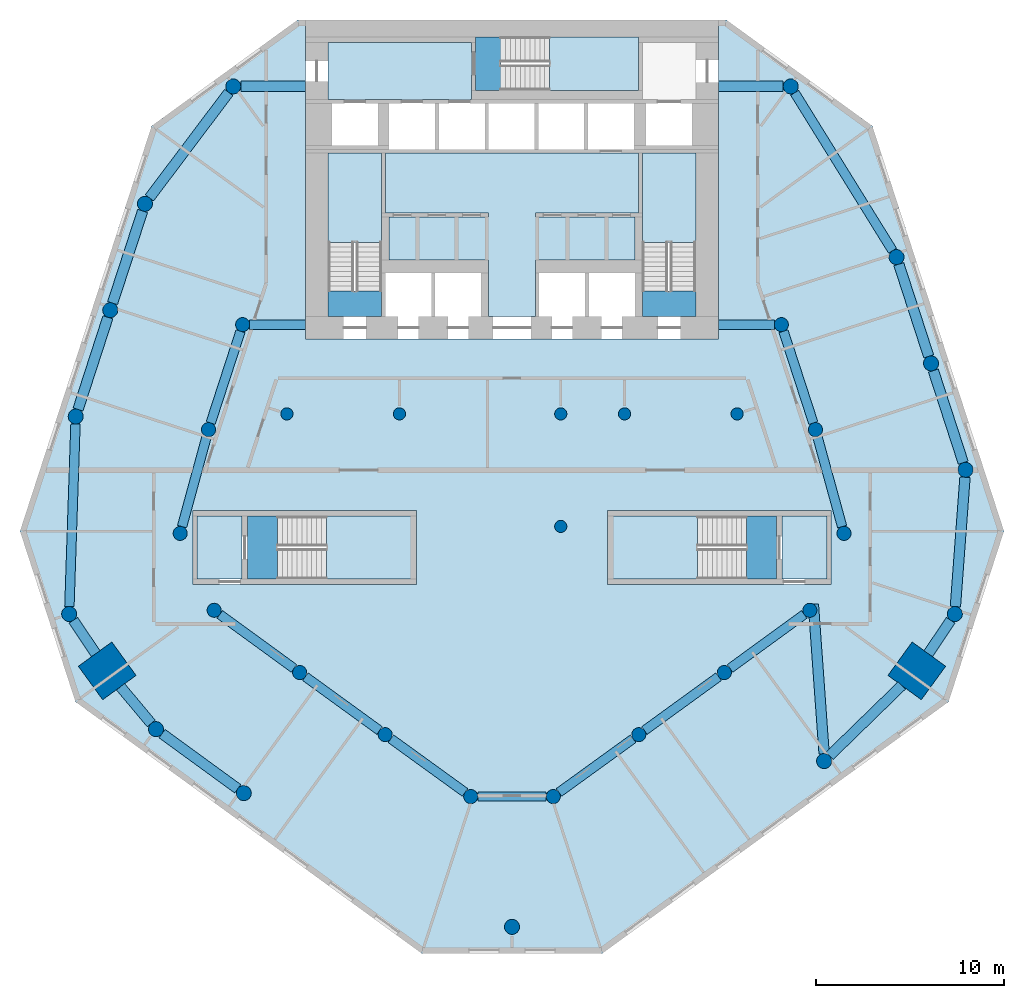
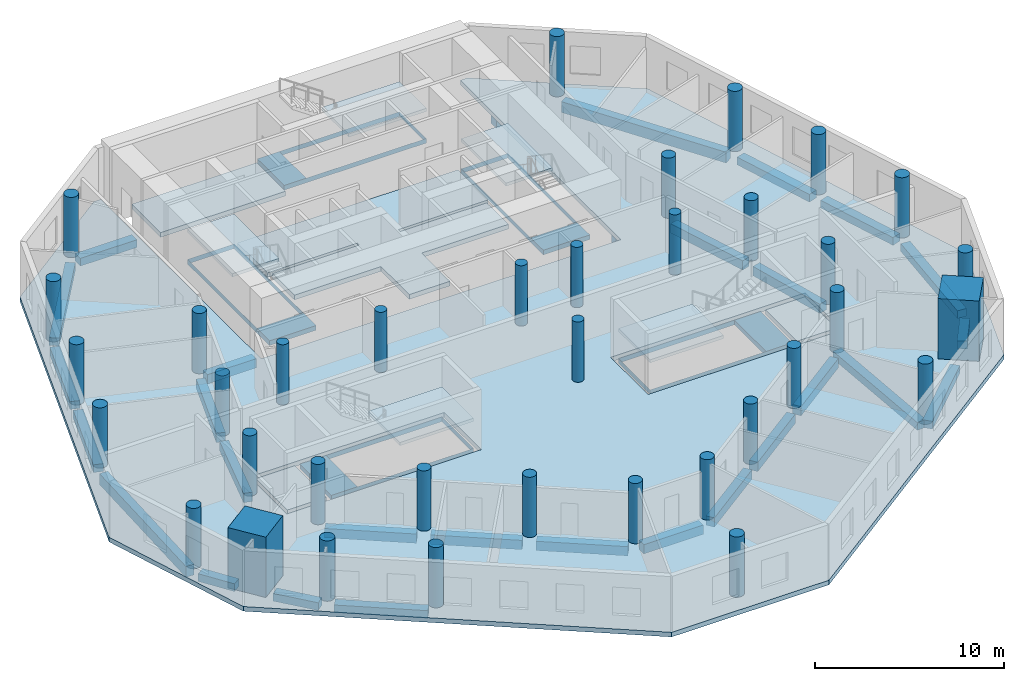
# One storey, part 1 of 9: 36 columns, 29 beams, 15 slabs, 5 elements without a shape of their own.
"""IFC4 building model written with IfcOpenShell, lengths in metres."""

from ifc_helpers import new_model, si_unit, direction, frame, origin, origin_2d, place, context, subcontext, project, spatial, polyline, rectangle, circle, outline, extrude, material, layer, layer_set, material_profile, profile_set, type_object, element, aggregate, save


model = new_model("IFC4")

# Units and contexts
model_context = context("Model", 3, precision=1e-05, world=origin(), true_north=direction((0.0, 1.0)))
body_context = subcontext(model_context, "Body", "Model", "MODEL_VIEW")
ifc_project = project(units=[si_unit("LENGTHUNIT", "METRE"), si_unit("AREAUNIT", "SQUARE_METRE"), si_unit("VOLUMEUNIT", "CUBIC_METRE"), si_unit("PLANEANGLEUNIT", "RADIAN"), si_unit("MASSUNIT", "GRAM", prefix="KILO")], contexts=[model_context])

# Site, building, storey
site_placement = place(None, origin())
site = spatial("IfcSite", under=ifc_project, at=site_placement, CompositionType="ELEMENT")
building_placement = place(site_placement, origin())
building = spatial("IfcBuilding", under=site, at=building_placement, Name="White Candle Pilgrim Tower", CompositionType="ELEMENT")
storey_placement = place(building_placement, frame((0.0, 0.0, 58.5)))
storey = spatial("IfcBuildingStorey", under=building, at=storey_placement, Name="L11", CompositionType="ELEMENT", Elevation=58.5)

# Columns
ifc_material_1 = material(Name="Concrete C80/95", Category="concrete")
ifc_material_profile_1 = material_profile(ifc_material_1, circle(Radius=0.324951171875, at=origin_2d()), Name="RC-COL D650")
ifc_profile_set_1 = profile_set([ifc_material_profile_1], Name="Concrete C80/95")
column_type_1 = type_object("IfcColumnType", Name="Interior column RC-COL D650 C80/95", PredefinedType="COLUMN", material=ifc_profile_set_1)
for number, where, z_axis, x_axis, name in (
    (1, (58.0, 67.0, 0.0), (0.0, 0.0, 1.0), (1.0, 0.0, 0.0), "L11 column I01"),
    (2, (64.0, 67.0, 0.0), (0.0, 0.0, 1.0), (1.0, 0.0, 0.0), "L11 column I02"),
    (3, (72.60009765625, 61.0, 0.0), (0.0, 0.0, 1.0), (1.0, 0.0, 0.0), "L11 column I03"),
    (4, (72.60009765625, 67.0, 0.0), (0.0, 0.0, 1.0), (1.0, 0.0, 0.0), "L11 column I04"),
    (5, (76.0, 67.0, 0.0), (0.0, 0.0, 1.0), (1.0, 0.0, 0.0), "L11 column I05"),
    (6, (82.0, 67.0, 0.0), (0.0, 0.0, 1.0), (1.0, 0.0, 0.0), "L11 column I06"),
):
    element("IfcColumn", number, at=place(storey_placement, frame(where, z_axis=z_axis, x_axis=x_axis)), inside=storey, type_object=column_type_1, Name=name, PredefinedType="COLUMN", context=body_context, shape_type="SweptSolid", body=[
        extrude(circle(Radius=0.324951171875, at=origin_2d()), origin(), (0.0, 0.0, 1.0), 3.89990234375),
    ])
ifc_material_profile_2 = material_profile(ifc_material_1, rectangle(XDim=2.199951171875, YDim=2.199951171875, at=origin_2d()), Name="RC 2200x2200")
ifc_profile_set_2 = profile_set([ifc_material_profile_2], Name="Concrete C80/95")
column_type_2 = type_object("IfcColumnType", Name="Mega column RC 2200x2200 C80/95", PredefinedType="COLUMN", material=ifc_profile_set_2)
for number, where, z_axis, x_axis, name in (
    (7, (48.419921875, 53.300048828125, 0.0), (0.0, 0.0, 1.0), (-0.809016994375, -0.587785252292, 0.0), "L11 mega column T02"),
    (8, (91.580078125, 53.300048828125, 0.0), (0.0, 0.0, 1.0), (0.809016994375, -0.587785252292, 0.0), "L11 mega column T07"),
):
    element("IfcColumn", number, at=place(storey_placement, frame(where, z_axis=z_axis, x_axis=x_axis)), inside=storey, type_object=column_type_2, Name=name, PredefinedType="COLUMN", context=body_context, shape_type="SweptSolid", body=[
        extrude(rectangle(XDim=2.199951171875, YDim=2.199951171875, at=origin_2d()), origin(), (0.0, 0.0, 1.0), 3.89990234375),
    ])
ifc_material_profile_3 = material_profile(ifc_material_1, circle(Radius=0.39990234375, at=origin_2d()), Name="RC-COL D800")
ifc_profile_set_3 = profile_set([ifc_material_profile_3], Name="Concrete C80/95")
column_type_3 = type_object("IfcColumnType", Name="Perimeter column RC-COL D800 C80/95", PredefinedType="COLUMN", material=ifc_profile_set_3)
for number, where, z_axis, x_axis, name in (
    (9, (46.389892578125, 56.330078125, 0.0), (0.0, 0.0, 1.0), (1.0, 0.0, 0.0), "L11 column T01"),
    (10, (51.02001953125, 50.18994140625, 0.0), (0.0, 0.0, 1.0), (1.0, 0.0, 0.0), "L11 column T03"),
    (11, (55.699951171875, 46.780029296875, 0.0), (0.0, 0.0, 1.0), (1.0, 0.0, 0.0), "L11 column T04"),
    (12, (70.0, 39.64990234375, 0.0), (0.0, 0.0, 1.0), (1.0, 0.0, 0.0), "L11 column T05"),
    (13, (86.639892578125, 48.489990234375, 0.0), (0.0, 0.0, 1.0), (1.0, 0.0, 0.0), "L11 column T06"),
    (14, (93.610107421875, 56.330078125, 0.0), (0.0, 0.0, 1.0), (1.0, 0.0, 0.0), "L11 column T08"),
    (15, (94.179931640625, 64.02001953125, 0.0), (0.0, 0.0, 1.0), (1.0, 0.0, 0.0), "L11 column T09"),
    (16, (92.340087890625, 69.68994140625, 0.0), (0.0, 0.0, 1.0), (1.0, 0.0, 0.0), "L11 column T10"),
    (17, (90.5, 75.360107421875, 0.0), (0.0, 0.0, 1.0), (1.0, 0.0, 0.0), "L11 column T11"),
    (18, (84.860107421875, 84.4599609375, 0.0), (0.0, 0.0, 1.0), (1.0, 0.0, 0.0), "L11 column T12"),
    (19, (55.139892578125, 84.4599609375, 0.0), (0.0, 0.0, 1.0), (1.0, 0.0, 0.0), "L11 column T13"),
    (20, (50.429931640625, 78.199951171875, 0.0), (0.0, 0.0, 1.0), (1.0, 0.0, 0.0), "L11 column T14"),
    (21, (48.580078125, 72.530029296875, 0.0), (0.0, 0.0, 1.0), (1.0, 0.0, 0.0), "L11 column T15"),
    (22, (46.739990234375, 66.860107421875, 0.0), (0.0, 0.0, 1.0), (1.0, 0.0, 0.0), "L11 column T16"),
):
    element("IfcColumn", number, at=place(storey_placement, frame(where, z_axis=z_axis, x_axis=x_axis)), inside=storey, type_object=column_type_3, Name=name, PredefinedType="COLUMN", context=body_context, shape_type="SweptSolid", body=[
        extrude(circle(Radius=0.39990234375, at=origin_2d()), origin(), (0.0, 0.0, 1.0), 3.89990234375),
    ])
ifc_material_profile_4 = material_profile(ifc_material_1, circle(Radius=0.375, at=origin_2d()), Name="RC-COL D750")
ifc_profile_set_4 = profile_set([ifc_material_profile_4], Name="Concrete C80/95")
column_type_4 = type_object("IfcColumnType", Name="Ring column RC-COL D750 C80/95", PredefinedType="COLUMN", material=ifc_profile_set_4)
for number, where, z_axis, x_axis, name in (
    (23, (52.31005859375, 60.6298828125, 0.0), (0.0, 0.0, 1.0), (1.0, 0.0, 0.0), "L11 column R01"),
    (24, (54.1201171875, 56.530029296875, 0.0), (0.0, 0.0, 1.0), (1.0, 0.0, 0.0), "L11 column R02"),
    (25, (58.679931640625, 53.2099609375, 0.0), (0.0, 0.0, 1.0), (1.0, 0.0, 0.0), "L11 column R03"),
    (26, (63.239990234375, 49.89990234375, 0.0), (0.0, 0.0, 1.0), (1.0, 0.0, 0.0), "L11 column R04"),
    (27, (67.800048828125, 46.60009765625, 0.0), (0.0, 0.0, 1.0), (1.0, 0.0, 0.0), "L11 column R05"),
    (28, (72.199951171875, 46.60009765625, 0.0), (0.0, 0.0, 1.0), (1.0, 0.0, 0.0), "L11 column R06"),
    (29, (76.760009765625, 49.89990234375, 0.0), (0.0, 0.0, 1.0), (1.0, 0.0, 0.0), "L11 column R07"),
    (30, (81.320068359375, 53.2099609375, 0.0), (0.0, 0.0, 1.0), (1.0, 0.0, 0.0), "L11 column R08"),
    (31, (85.8798828125, 56.530029296875, 0.0), (0.0, 0.0, 1.0), (1.0, 0.0, 0.0), "L11 column R09"),
    (32, (87.699951171875, 60.6298828125, 0.0), (0.0, 0.0, 1.0), (1.0, 0.0, 0.0), "L11 column R10"),
    (33, (86.179931640625, 66.159912109375, 0.0), (0.0, 0.0, 1.0), (1.0, 0.0, 0.0), "L11 column R11"),
    (34, (84.360107421875, 71.760009765625, 0.0), (0.0, 0.0, 1.0), (1.0, 0.0, 0.0), "L11 column R12"),
    (35, (55.639892578125, 71.760009765625, 0.0), (0.0, 0.0, 1.0), (1.0, 0.0, 0.0), "L11 column R13"),
    (36, (53.820068359375, 66.159912109375, 0.0), (0.0, 0.0, 1.0), (1.0, 0.0, 0.0), "L11 column R14"),
):
    element("IfcColumn", number, at=place(storey_placement, frame(where, z_axis=z_axis, x_axis=x_axis)), inside=storey, type_object=column_type_4, Name=name, PredefinedType="COLUMN", context=body_context, shape_type="SweptSolid", body=[
        extrude(circle(Radius=0.375, at=origin_2d()), origin(), (0.0, 0.0, 1.0), 3.89990234375),
    ])

# Beams
ifc_material_2 = material(Name="Concrete C50/60", Category="concrete")
ifc_material_profile_5 = material_profile(ifc_material_2, rectangle(XDim=0.5, YDim=0.60009765625, at=origin_2d()), Name="RC-BM 500x600")
ifc_profile_set_5 = profile_set([ifc_material_profile_5], Name="Concrete C50/60")
beam_type_1 = type_object("IfcBeamType", Name="Ring beam RC-BM 500x600 C50/60", PredefinedType="BEAM", material=ifc_profile_set_5)
beam_1_placement = place(storey_placement, frame((54.423095703125, 56.309326171875, -0.60009765625), z_axis=(0.808431607518, -0.58859012561, 0.0), x_axis=(0.58859012561, 0.808431607518, 0.0)))
element("IfcBeam", 37, at=beam_1_placement, inside=storey, type_object=beam_type_1, Name="L11 ring beam R01", PredefinedType="BEAM", context=body_context, shape_type="SweptSolid", body=[
    extrude(rectangle(XDim=0.5, YDim=0.60009765625, at=origin_2d()), origin(), (0.0, 0.0, 1.0), 4.890869140625),
])
beam_2_placement = place(storey_placement, frame((58.9833984375, 52.98974609375, -0.60009765625), z_axis=(0.809276033964, -0.587428549572, 0.0), x_axis=(0.587428549572, 0.809276033964, 0.0)))
element("IfcBeam", 38, at=beam_2_placement, inside=storey, type_object=beam_type_1, Name="L11 ring beam R02", PredefinedType="BEAM", context=body_context, shape_type="SweptSolid", body=[
    extrude(rectangle(XDim=0.5, YDim=0.60009765625, at=origin_2d()), origin(), (0.0, 0.0, 1.0), 4.885009765625),
])
beam_3_placement = place(storey_placement, frame((63.543701171875, 49.680419921875, -0.60009765625), z_axis=(0.810079795278, -0.586319644291, 0.0), x_axis=(0.586319644291, 0.810079795278, 0.0)))
element("IfcBeam", 39, at=beam_3_placement, inside=storey, type_object=beam_type_1, Name="L11 ring beam R03", PredefinedType="BEAM", context=body_context, shape_type="SweptSolid", body=[
    extrude(rectangle(XDim=0.5, YDim=0.60009765625, at=origin_2d()), origin(), (0.0, 0.0, 1.0), 4.87939453125),
])
beam_4_placement = place(storey_placement, frame((68.175048828125, 46.60009765625, -0.60009765625), z_axis=(1.0, 0.0, 0.0), x_axis=(0.0, 1.0, 0.0)))
element("IfcBeam", 40, at=beam_4_placement, inside=storey, type_object=beam_type_1, Name="L11 ring beam R04", PredefinedType="BEAM", context=body_context, shape_type="SweptSolid", body=[
    extrude(rectangle(XDim=0.5, YDim=0.60009765625, at=origin_2d()), origin(), (0.0, 0.0, 1.0), 3.64990234375),
])
beam_5_placement = place(storey_placement, frame((72.503662109375, 46.819580078125, -0.60009765625), z_axis=(0.810079795278, 0.586319644291, 0.0), x_axis=(-0.586319644291, 0.810079795278, 0.0)))
element("IfcBeam", 41, at=beam_5_placement, inside=storey, type_object=beam_type_1, Name="L11 ring beam R05", PredefinedType="BEAM", context=body_context, shape_type="SweptSolid", body=[
    extrude(rectangle(XDim=0.5, YDim=0.60009765625, at=origin_2d()), origin(), (0.0, 0.0, 1.0), 4.87939453125),
])
beam_6_placement = place(storey_placement, frame((77.063232421875, 50.1201171875, -0.60009765625), z_axis=(0.809276033964, 0.587428549572, 0.0), x_axis=(-0.587428549572, 0.809276033964, 0.0)))
element("IfcBeam", 42, at=beam_6_placement, inside=storey, type_object=beam_type_1, Name="L11 ring beam R06", PredefinedType="BEAM", context=body_context, shape_type="SweptSolid", body=[
    extrude(rectangle(XDim=0.5, YDim=0.60009765625, at=origin_2d()), origin(), (0.0, 0.0, 1.0), 4.885009765625),
])
beam_7_placement = place(storey_placement, frame((81.623046875, 53.4306640625, -0.60009765625), z_axis=(0.808431607518, 0.58859012561, 0.0), x_axis=(-0.58859012561, 0.808431607518, 0.0)))
element("IfcBeam", 43, at=beam_7_placement, inside=storey, type_object=beam_type_1, Name="L11 ring beam R07", PredefinedType="BEAM", context=body_context, shape_type="SweptSolid", body=[
    extrude(rectangle(XDim=0.5, YDim=0.60009765625, at=origin_2d()), origin(), (0.0, 0.0, 1.0), 4.890869140625),
])
beam_8_placement = place(storey_placement, frame((87.6005859375, 60.991455078125, -0.60009765625), z_axis=(-0.265031278819, 0.964239815216, 0.0), x_axis=(-0.964239815216, -0.265031278819, 0.0)))
element("IfcBeam", 44, at=beam_8_placement, inside=storey, type_object=beam_type_1, Name="L11 ring beam R08", PredefinedType="BEAM", context=body_context, shape_type="SweptSolid", body=[
    extrude(rectangle(XDim=0.5, YDim=0.60009765625, at=origin_2d()), origin(), (0.0, 0.0, 1.0), 4.9853515625),
])
beam_9_placement = place(storey_placement, frame((86.064208984375, 66.5166015625, -0.60009765625), z_axis=(-0.309106483996, 0.9510274347, 0.0), x_axis=(-0.9510274347, -0.309106483996, 0.0)))
element("IfcBeam", 45, at=beam_9_placement, inside=storey, type_object=beam_type_1, Name="L11 ring beam R09", PredefinedType="BEAM", context=body_context, shape_type="SweptSolid", body=[
    extrude(rectangle(XDim=0.5, YDim=0.60009765625, at=origin_2d()), origin(), (0.0, 0.0, 1.0), 5.138671875),
])
for number, where, z_axis, x_axis, name in (
    (46, (83.985107421875, 71.760009765625, -0.60009765625), (-1.0, 0.0, 0.0), (0.0, -1.0, 0.0), "L11 ring beam R10"),
    (47, (56.014892578125, 71.760009765625, -0.60009765625), (1.0, 0.0, 0.0), (0.0, 1.0, 0.0), "L11 ring beam R11"),
):
    element("IfcBeam", number, at=place(storey_placement, frame(where, z_axis=z_axis, x_axis=x_axis)), inside=storey, type_object=beam_type_1, Name=name, PredefinedType="BEAM", context=body_context, shape_type="SweptSolid", body=[
        extrude(rectangle(XDim=0.5, YDim=0.60009765625, at=origin_2d()), origin(), (0.0, 0.0, 1.0), 2.985107421875),
    ])
beam_10_placement = place(storey_placement, frame((55.524169921875, 71.403564453125, -0.60009765625), z_axis=(-0.309106483996, -0.9510274347, 0.0), x_axis=(0.9510274347, -0.309106483996, 0.0)))
element("IfcBeam", 48, at=beam_10_placement, inside=storey, type_object=beam_type_1, Name="L11 ring beam R12", PredefinedType="BEAM", context=body_context, shape_type="SweptSolid", body=[
    extrude(rectangle(XDim=0.5, YDim=0.60009765625, at=origin_2d()), origin(), (0.0, 0.0, 1.0), 5.138671875),
])
beam_11_placement = place(storey_placement, frame((53.72119140625, 65.79833984375, -0.60009765625), z_axis=(-0.263415907103, -0.964682362172, 0.0), x_axis=(0.964682362172, -0.263415907103, 0.0)))
element("IfcBeam", 49, at=beam_11_placement, inside=storey, type_object=beam_type_1, Name="L11 ring beam R13", PredefinedType="BEAM", context=body_context, shape_type="SweptSolid", body=[
    extrude(rectangle(XDim=0.5, YDim=0.60009765625, at=origin_2d()), origin(), (0.0, 0.0, 1.0), 4.982666015625),
])
ifc_material_profile_6 = material_profile(ifc_material_2, rectangle(XDim=0.5, YDim=0.699951171875, at=origin_2d()), Name="RC-BM 500x700")
ifc_profile_set_6 = profile_set([ifc_material_profile_6], Name="Concrete C50/60")
beam_type_2 = type_object("IfcBeamType", Name="Spandrel beam RC-BM 500x700 C50/60", PredefinedType="BEAM", material=ifc_profile_set_6)
beam_12_placement = place(storey_placement, frame((90.289306640625, 75.69970703125, -0.64990234375), z_axis=(-0.526800809553, 0.849988768781, 0.0), x_axis=(-0.849988768781, -0.526800809553, 0.0)))
element("IfcBeam", 50, at=beam_12_placement, inside=storey, type_object=beam_type_2, Name="L11 spandrel beam T10", PredefinedType="BEAM", context=body_context, shape_type="SweptSolid", body=[
    extrude(rectangle(XDim=0.5, YDim=0.699951171875, at=origin_2d()), origin(), (0.0, 0.0, 1.0), 9.906494140625),
])
beam_13_placement = place(storey_placement, frame((46.726806640625, 66.46044921875, -0.64990234375), z_axis=(-0.033224659514, -0.999447908598, 0.0), x_axis=(0.999447908598, -0.033224659514, 0.0)))
element("IfcBeam", 51, at=beam_13_placement, inside=storey, type_object=beam_type_2, Name="L11 spandrel beam T16", PredefinedType="BEAM", context=body_context, shape_type="SweptSolid", body=[
    extrude(rectangle(XDim=0.5, YDim=0.699951171875, at=origin_2d()), origin(), (0.0, 0.0, 1.0), 9.736328125),
])
ifc_material_profile_7 = material_profile(ifc_material_2, rectangle(XDim=0.550048828125, YDim=0.5, at=origin_2d()), Name="RC-BM 550x500")
ifc_profile_set_7 = profile_set([ifc_material_profile_7], Name="Concrete C50/60")
beam_type_3 = type_object("IfcBeamType", Name="Spandrel beam RC-BM 550x500 C50/60", PredefinedType="BEAM", material=ifc_profile_set_7)
beam_14_placement = place(storey_placement, frame((46.612548828125, 55.997802734375, -0.550048828125), z_axis=(0.556641005169, -0.830753147069, 0.0), x_axis=(0.830753147069, 0.556641005169, 0.0)))
element("IfcBeam", 52, at=beam_14_placement, inside=storey, type_object=beam_type_3, Name="L11 spandrel beam T01", PredefinedType="BEAM", context=body_context, shape_type="SweptSolid", body=[
    extrude(rectangle(XDim=0.550048828125, YDim=0.5, at=origin_2d()), origin(), (0.0, 0.0, 1.0), 2.146484375),
])
beam_15_placement = place(storey_placement, frame((49.127197265625, 52.4541015625, -0.550048828125), z_axis=(0.641388324436, -0.767216408373, 0.0), x_axis=(0.767216408373, 0.641388324436, 0.0)))
element("IfcBeam", 53, at=beam_15_placement, inside=storey, type_object=beam_type_3, Name="L11 spandrel beam T02", PredefinedType="BEAM", context=body_context, shape_type="SweptSolid", body=[
    extrude(rectangle(XDim=0.550048828125, YDim=0.5, at=origin_2d()), origin(), (0.0, 0.0, 1.0), 2.551513671875),
])
beam_16_placement = place(storey_placement, frame((51.343017578125, 49.95458984375, -0.550048828125), z_axis=(0.808217539001, -0.588884037525, 0.0), x_axis=(0.588884037525, 0.808217539001, 0.0)))
element("IfcBeam", 54, at=beam_16_placement, inside=storey, type_object=beam_type_3, Name="L11 spandrel beam T03", PredefinedType="BEAM", context=body_context, shape_type="SweptSolid", body=[
    extrude(rectangle(XDim=0.550048828125, YDim=0.5, at=origin_2d()), origin(), (0.0, 0.0, 1.0), 4.9912109375),
])
beam_17_placement = place(storey_placement, frame((86.639892578125, 48.889892578125, -0.550048828125), z_axis=(-0.071694624988, 0.997426629255, 0.0), x_axis=(-0.997426629255, -0.071694624988, 0.0)))
element("IfcBeam", 55, at=beam_17_placement, inside=storey, type_object=beam_type_3, Name="L11 spandrel beam T04", PredefinedType="BEAM", context=body_context, shape_type="SweptSolid", body=[
    extrude(rectangle(XDim=0.550048828125, YDim=0.5, at=origin_2d()), origin(), (0.0, 0.0, 1.0), 7.9853515625),
])
beam_18_placement = place(storey_placement, frame((86.926513671875, 48.768798828125, -0.550048828125), z_axis=(0.716462232914, 0.697625880259, 0.0), x_axis=(-0.697625880259, 0.716462232914, 0.0)))
element("IfcBeam", 56, at=beam_18_placement, inside=storey, type_object=beam_type_3, Name="L11 spandrel beam T05", PredefinedType="BEAM", context=body_context, shape_type="SweptSolid", body=[
    extrude(rectangle(XDim=0.550048828125, YDim=0.5, at=origin_2d()), origin(), (0.0, 0.0, 1.0), 5.37890625),
])
beam_19_placement = place(storey_placement, frame((92.192626953125, 54.214599609375, -0.550048828125), z_axis=(0.556641005169, 0.830753147069, 0.0), x_axis=(-0.830753147069, 0.556641005169, 0.0)))
element("IfcBeam", 57, at=beam_19_placement, inside=storey, type_object=beam_type_3, Name="L11 spandrel beam T06", PredefinedType="BEAM", context=body_context, shape_type="SweptSolid", body=[
    extrude(rectangle(XDim=0.550048828125, YDim=0.5, at=origin_2d()), origin(), (0.0, 0.0, 1.0), 2.146484375),
])
beam_20_placement = place(storey_placement, frame((93.6396484375, 56.728759765625, -0.550048828125), z_axis=(0.073900311906, 0.99726563357, 0.0), x_axis=(-0.99726563357, 0.073900311906, 0.0)))
element("IfcBeam", 58, at=beam_20_placement, inside=storey, type_object=beam_type_3, Name="L11 spandrel beam T07", PredefinedType="BEAM", context=body_context, shape_type="SweptSolid", body=[
    extrude(rectangle(XDim=0.550048828125, YDim=0.5, at=origin_2d()), origin(), (0.0, 0.0, 1.0), 6.9111328125),
])
for number, where, z_axis, x_axis, name in (
    (59, (94.056640625, 64.400390625, -0.550048828125), (-0.308682827488, 0.951165028801, 0.0), (-0.951165028801, -0.308682827488, 0.0), "L11 spandrel beam T08"),
    (60, (92.216552734375, 70.0703125, -0.550048828125), (-0.308682827488, 0.951165028801, 0.0), (-0.951165028801, -0.308682827488, 0.0), "L11 spandrel beam T09"),
):
    element("IfcBeam", number, at=place(storey_placement, frame(where, z_axis=z_axis, x_axis=x_axis)), inside=storey, type_object=beam_type_3, Name=name, PredefinedType="BEAM", context=body_context, shape_type="SweptSolid", body=[
        extrude(rectangle(XDim=0.550048828125, YDim=0.5, at=origin_2d()), origin(), (0.0, 0.0, 1.0), 5.161376953125),
    ])
for number, where, z_axis, x_axis, name in (
    (61, (84.4599609375, 84.4599609375, -0.550048828125), (-1.0, 0.0, 0.0), (0.0, -1.0, 0.0), "L11 spandrel beam T11"),
    (62, (55.5400390625, 84.4599609375, -0.550048828125), (1.0, 0.0, 0.0), (0.0, 1.0, 0.0), "L11 spandrel beam T12"),
):
    element("IfcBeam", number, at=place(storey_placement, frame(where, z_axis=z_axis, x_axis=x_axis)), inside=storey, type_object=beam_type_3, Name=name, PredefinedType="BEAM", context=body_context, shape_type="SweptSolid", body=[
        extrude(rectangle(XDim=0.550048828125, YDim=0.5, at=origin_2d()), origin(), (0.0, 0.0, 1.0), 3.4599609375),
    ])
beam_21_placement = place(storey_placement, frame((54.899658203125, 84.140380859375, -0.550048828125), z_axis=(-0.601237643972, -0.79907026942, 0.0), x_axis=(0.79907026942, -0.601237643972, 0.0)))
element("IfcBeam", 63, at=beam_21_placement, inside=storey, type_object=beam_type_3, Name="L11 spandrel beam T13", PredefinedType="BEAM", context=body_context, shape_type="SweptSolid", body=[
    extrude(rectangle(XDim=0.550048828125, YDim=0.5, at=origin_2d()), origin(), (0.0, 0.0, 1.0), 7.0341796875),
])
beam_22_placement = place(storey_placement, frame((50.305908203125, 77.81982421875, -0.550048828125), z_axis=(-0.310165508273, -0.950682574511, 0.0), x_axis=(0.950682574511, -0.310165508273, 0.0)))
element("IfcBeam", 64, at=beam_22_placement, inside=storey, type_object=beam_type_3, Name="L11 spandrel beam T14", PredefinedType="BEAM", context=body_context, shape_type="SweptSolid", body=[
    extrude(rectangle(XDim=0.550048828125, YDim=0.5, at=origin_2d()), origin(), (0.0, 0.0, 1.0), 5.164306640625),
])
beam_23_placement = place(storey_placement, frame((48.45654296875, 72.149658203125, -0.550048828125), z_axis=(-0.308682827488, -0.951165028801, 0.0), x_axis=(0.951165028801, -0.308682827488, 0.0)))
element("IfcBeam", 65, at=beam_23_placement, inside=storey, type_object=beam_type_3, Name="L11 spandrel beam T15", PredefinedType="BEAM", context=body_context, shape_type="SweptSolid", body=[
    extrude(rectangle(XDim=0.550048828125, YDim=0.5, at=origin_2d()), origin(), (0.0, 0.0, 1.0), 5.161376953125),
])

# Slabs
ifc_material_3 = material(Name="Concrete C40/50", Category="concrete")
ifc_layer_1 = layer(ifc_material_3, 0.300048828125)
ifc_layer_set_1 = layer_set([ifc_layer_1], Name="Core floor slab 300 mm Concrete C40/50")
slab_type_1 = type_object("IfcSlabType", Name="Core floor slab 300 mm Concrete C40/50", PredefinedType="FLOOR", material=ifc_layer_set_1)
slab_1_placement = place(storey_placement, frame((0.0, 0.0, -0.300048828125)))
element("IfcSlab", 66, at=slab_1_placement, inside=storey, type_object=slab_type_1, Name="CF-L11-01", PredefinedType="FLOOR", context=body_context, shape_type="SweptSolid", body=[
    extrude(outline(polyline([(55.60009765625, 58.199951171875), (53.199951171875, 58.199951171875), (53.199951171875, 61.550048828125), (55.60009765625, 61.550048828125), (55.60009765625, 58.199951171875)])), origin(), (0.0, 0.0, 1.0), 0.300048828125),
])
slab_2_placement = place(storey_placement, frame((0.0, 0.0, -0.300048828125)))
element("IfcSlab", 67, at=slab_2_placement, inside=storey, type_object=slab_type_1, Name="CF-L11-02", PredefinedType="FLOOR", context=body_context, shape_type="SweptSolid", body=[
    extrude(outline(polyline([(55.89990234375, 58.199951171875), (55.89990234375, 61.550048828125), (64.60009765625, 61.550048828125), (64.60009765625, 58.199951171875), (55.89990234375, 58.199951171875)]), holes=[polyline([(57.501953125, 61.548095703125), (57.501953125, 58.201904296875), (64.597900390625, 58.201904296875), (64.597900390625, 61.548095703125), (57.501953125, 61.548095703125)])]), origin(), (0.0, 0.0, 1.0), 0.300048828125),
])
slab_3_placement = place(storey_placement, frame((0.0, 0.0, -0.300048828125)))
element("IfcSlab", 68, at=slab_3_placement, inside=storey, type_object=slab_type_1, Name="CF-L11-03", PredefinedType="FLOOR", context=body_context, shape_type="SweptSolid", body=[
    extrude(outline(polyline([(75.39990234375, 58.199951171875), (75.39990234375, 61.550048828125), (84.10009765625, 61.550048828125), (84.10009765625, 58.199951171875), (75.39990234375, 58.199951171875)]), holes=[polyline([(82.498046875, 58.201904296875), (82.498046875, 61.548095703125), (75.402099609375, 61.548095703125), (75.402099609375, 58.201904296875), (82.498046875, 58.201904296875)])]), origin(), (0.0, 0.0, 1.0), 0.300048828125),
])
slab_4_placement = place(storey_placement, frame((0.0, 0.0, -0.300048828125)))
element("IfcSlab", 69, at=slab_4_placement, inside=storey, type_object=slab_type_1, Name="CF-L11-04", PredefinedType="FLOOR", context=body_context, shape_type="SweptSolid", body=[
    extrude(outline(polyline([(86.800048828125, 58.199951171875), (84.39990234375, 58.199951171875), (84.39990234375, 61.550048828125), (86.800048828125, 61.550048828125), (86.800048828125, 58.199951171875)])), origin(), (0.0, 0.0, 1.0), 0.300048828125),
])
slab_5_placement = place(storey_placement, frame((0.0, 0.0, -0.300048828125)))
element("IfcSlab", 70, at=slab_5_placement, inside=storey, type_object=slab_type_1, Name="CF-L11-05", PredefinedType="FLOOR", context=body_context, shape_type="SweptSolid", body=[
    extrude(outline(polyline([(76.75, 87.10009765625), (76.75, 86.800048828125), (76.75, 84.25), (68.050048828125, 84.25), (68.050048828125, 86.800048828125), (68.050048828125, 87.10009765625), (76.75, 87.10009765625)]), holes=[polyline([(69.402099609375, 87.097900390625), (69.402099609375, 84.251953125), (76.748046875, 84.251953125), (76.748046875, 87.097900390625), (69.402099609375, 87.097900390625)])]), origin(), (0.0, 0.0, 1.0), 0.300048828125),
])
slab_6_placement = place(storey_placement, frame((0.0, 0.0, -0.300048828125)))
element("IfcSlab", 71, at=slab_6_placement, inside=storey, type_object=slab_type_1, Name="CF-L11-07", PredefinedType="FLOOR", context=body_context, shape_type="SweptSolid", body=[
    extrude(outline(polyline([(79.800048828125, 72.199951171875), (76.949951171875, 72.199951171875), (76.949951171875, 74.5), (76.949951171875, 75.199951171875), (76.949951171875, 77.5), (76.949951171875, 77.699951171875), (76.949951171875, 80.89990234375), (79.800048828125, 80.89990234375), (79.800048828125, 72.199951171875)]), holes=[polyline([(76.951904296875, 73.552001953125), (79.798095703125, 73.552001953125), (79.798095703125, 80.89794921875), (76.951904296875, 80.89794921875), (76.951904296875, 73.552001953125)])]), origin(), (0.0, 0.0, 1.0), 0.300048828125),
])
slab_7_placement = place(storey_placement, frame((0.0, 0.0, -0.300048828125)))
element("IfcSlab", 72, at=slab_7_placement, inside=storey, type_object=slab_type_1, Name="CF-L11-08", PredefinedType="FLOOR", context=body_context, shape_type="SweptSolid", body=[
    extrude(outline(polyline([(68.75, 72.199951171875), (68.75, 74.5), (68.75, 75.199951171875), (63.449951171875, 75.199951171875), (63.449951171875, 77.5), (68.75, 77.5), (68.75, 77.699951171875), (63.25, 77.699951171875), (63.25, 80.89990234375), (76.75, 80.89990234375), (76.75, 77.699951171875), (71.25, 77.699951171875), (71.25, 77.5), (76.550048828125, 77.5), (76.550048828125, 75.199951171875), (71.25, 75.199951171875), (71.25, 74.5), (71.25, 72.199951171875), (68.75, 72.199951171875)])), origin(), (0.0, 0.0, 1.0), 0.300048828125),
])
slab_8_placement = place(storey_placement, frame((0.0, 0.0, -0.300048828125)))
element("IfcSlab", 73, at=slab_8_placement, inside=storey, type_object=slab_type_1, Name="CF-L11-09", PredefinedType="FLOOR", context=body_context, shape_type="SweptSolid", body=[
    extrude(outline(polyline([(60.199951171875, 72.199951171875), (60.199951171875, 80.89990234375), (63.050048828125, 80.89990234375), (63.050048828125, 77.699951171875), (63.050048828125, 77.5), (63.050048828125, 75.199951171875), (63.050048828125, 74.5), (63.050048828125, 72.199951171875), (60.199951171875, 72.199951171875)]), holes=[polyline([(60.201904296875, 73.552001953125), (63.048095703125, 73.552001953125), (63.048095703125, 80.89794921875), (60.201904296875, 80.89794921875), (60.201904296875, 73.552001953125)])]), origin(), (0.0, 0.0, 1.0), 0.300048828125),
])
slab_9_placement = place(storey_placement, frame((0.0, 0.0, -0.300048828125)))
element("IfcSlab", 74, at=slab_9_placement, inside=storey, type_object=slab_type_1, Name="CF-L11-10", PredefinedType="FLOOR", context=body_context, shape_type="SweptSolid", body=[
    extrude(outline(polyline([(60.199951171875, 86.800048828125), (67.85009765625, 86.800048828125), (67.85009765625, 84.25), (67.85009765625, 83.75), (60.199951171875, 83.75), (60.199951171875, 86.800048828125)])), origin(), (0.0, 0.0, 1.0), 0.300048828125),
])
ifc_layer_2 = layer(ifc_material_3, 0.300048828125)
ifc_layer_set_2 = layer_set([ifc_layer_2], Name="Floor slab 300 REI 120")
slab_type_2 = type_object("IfcSlabType", Name="Floor slab 300 REI 120", PredefinedType="FLOOR", material=ifc_layer_set_2)
slab_10_placement = place(storey_placement, frame((0.0, 0.0, -0.300048828125)))
element("IfcSlab", 75, at=slab_10_placement, inside=storey, type_object=slab_type_2, Name="L11 floor slab", PredefinedType="FLOOR", context=body_context, shape_type="SweptSolid", body=[
    extrude(outline(polyline([(65.18798828125, 38.235595703125), (74.81201171875, 38.235595703125), (93.274169921875, 51.64892578125), (96.23046875, 60.747314453125), (89.210693359375, 82.352294921875), (81.43701171875, 88.0), (81.0, 88.0), (81.0, 71.0), (59.0, 71.0), (59.0, 88.0), (58.56298828125, 88.0), (50.789306640625, 82.352294921875), (43.76953125, 60.747314453125), (46.725830078125, 51.64892578125), (65.18798828125, 38.235595703125)]), holes=[polyline([(53.0, 57.89990234375), (53.0, 61.85009765625), (64.89990234375, 61.85009765625), (64.89990234375, 57.89990234375), (53.0, 57.89990234375)]), polyline([(75.10009765625, 57.89990234375), (75.10009765625, 61.85009765625), (87.0, 61.85009765625), (87.0, 57.89990234375), (75.10009765625, 57.89990234375)])]), origin(), (0.0, 0.0, 1.0), 0.300048828125),
])

# Stair, slab
stair_type_1 = type_object("IfcStairType", Name="Exit stair 1 flight width 1350 mm", PredefinedType="HALF_TURN_STAIR", material=ifc_material_3)
stair_1_placement = place(storey_placement, origin())
stair_1 = element("IfcStair", 76, at=stair_1_placement, inside=storey, type_object=stair_type_1, Name="L11 stair 1", PredefinedType="NOTDEFINED")
ifc_layer_3 = layer(ifc_material_3, 0.199951171875)
ifc_layer_set_3 = layer_set([ifc_layer_3], Name="Stair landing Concrete C40/50")
slab_type_3 = type_object("IfcSlabType", Name="Stair landing Concrete C40/50", PredefinedType="LANDING", material=ifc_layer_set_3)
slab_11_placement = place(storey_placement, frame((0.0, 0.0, 1.75)))
slab_11 = element("IfcSlab", 77, at=slab_11_placement, type_object=slab_type_3, Name="ST1 landing 1", PredefinedType="LANDING", context=body_context, shape_type="SweptSolid", body=[
    extrude(outline(polyline([(63.052001953125, 76.14794921875), (60.197998046875, 76.14794921875), (60.197998046875, 80.902099609375), (63.052001953125, 80.902099609375), (63.052001953125, 76.14794921875)])), origin(), (0.0, 0.0, 1.0), 0.199951171875),
])
aggregate(stair_1, [slab_11])

stair_type_2 = type_object("IfcStairType", Name="Exit stair 2 flight width 1350 mm", PredefinedType="HALF_TURN_STAIR", material=ifc_material_3)
stair_2_placement = place(storey_placement, origin())
stair_2 = element("IfcStair", 78, at=stair_2_placement, inside=storey, type_object=stair_type_2, Name="L11 stair 2", PredefinedType="NOTDEFINED")
slab_12_placement = place(storey_placement, frame((0.0, 0.0, 1.75)))
slab_12 = element("IfcSlab", 79, at=slab_12_placement, type_object=slab_type_3, Name="ST2 landing 1", PredefinedType="LANDING", context=body_context, shape_type="SweptSolid", body=[
    extrude(outline(polyline([(79.802001953125, 76.14794921875), (76.947998046875, 76.14794921875), (76.947998046875, 80.902099609375), (79.802001953125, 80.902099609375), (79.802001953125, 76.14794921875)])), origin(), (0.0, 0.0, 1.0), 0.199951171875),
])
aggregate(stair_2, [slab_12])

stair_type_3 = type_object("IfcStairType", Name="Exit stair 3 flight width 1350 mm", PredefinedType="HALF_TURN_STAIR", material=ifc_material_3)
stair_3_placement = place(storey_placement, origin())
stair_3 = element("IfcStair", 80, at=stair_3_placement, inside=storey, type_object=stair_type_3, Name="L11 stair 3", PredefinedType="NOTDEFINED")
slab_13_placement = place(storey_placement, frame((0.0, 0.0, 1.75)))
slab_13 = element("IfcSlab", 81, at=slab_13_placement, type_object=slab_type_3, Name="ST3 landing 1", PredefinedType="LANDING", context=body_context, shape_type="SweptSolid", body=[
    extrude(outline(polyline([(71.998046875, 84.248046875), (71.998046875, 87.10205078125), (76.751953125, 87.10205078125), (76.751953125, 84.248046875), (71.998046875, 84.248046875)])), origin(), (0.0, 0.0, 1.0), 0.199951171875),
])
aggregate(stair_3, [slab_13])

stair_type_4 = type_object("IfcStairType", Name="Exit stair 4 flight width 1600 mm", PredefinedType="HALF_TURN_STAIR", material=ifc_material_3)
stair_4_placement = place(storey_placement, origin())
stair_4 = element("IfcStair", 82, at=stair_4_placement, inside=storey, type_object=stair_type_4, Name="L11 stair 4", PredefinedType="NOTDEFINED")
slab_14_placement = place(storey_placement, frame((0.0, 0.0, 1.75)))
slab_14 = element("IfcSlab", 83, at=slab_14_placement, type_object=slab_type_3, Name="ST4 landing 1", PredefinedType="LANDING", context=body_context, shape_type="SweptSolid", body=[
    extrude(outline(polyline([(79.902099609375, 61.552001953125), (79.902099609375, 58.197998046875), (75.39794921875, 58.197998046875), (75.39794921875, 61.552001953125), (79.902099609375, 61.552001953125)])), origin(), (0.0, 0.0, 1.0), 0.199951171875),
])
aggregate(stair_4, [slab_14])

stair_type_5 = type_object("IfcStairType", Name="Exit stair 5 flight width 1600 mm", PredefinedType="HALF_TURN_STAIR", material=ifc_material_3)
stair_5_placement = place(storey_placement, origin())
stair_5 = element("IfcStair", 84, at=stair_5_placement, inside=storey, type_object=stair_type_5, Name="L11 stair 5", PredefinedType="NOTDEFINED")
slab_15_placement = place(storey_placement, frame((0.0, 0.0, 1.75)))
slab_15 = element("IfcSlab", 85, at=slab_15_placement, type_object=slab_type_3, Name="ST5 landing 1", PredefinedType="LANDING", context=body_context, shape_type="SweptSolid", body=[
    extrude(outline(polyline([(60.097900390625, 58.197998046875), (60.097900390625, 61.552001953125), (64.60205078125, 61.552001953125), (64.60205078125, 58.197998046875), (60.097900390625, 58.197998046875)])), origin(), (0.0, 0.0, 1.0), 0.199951171875),
])
aggregate(stair_5, [slab_15])

save(model, "model.ifc")
